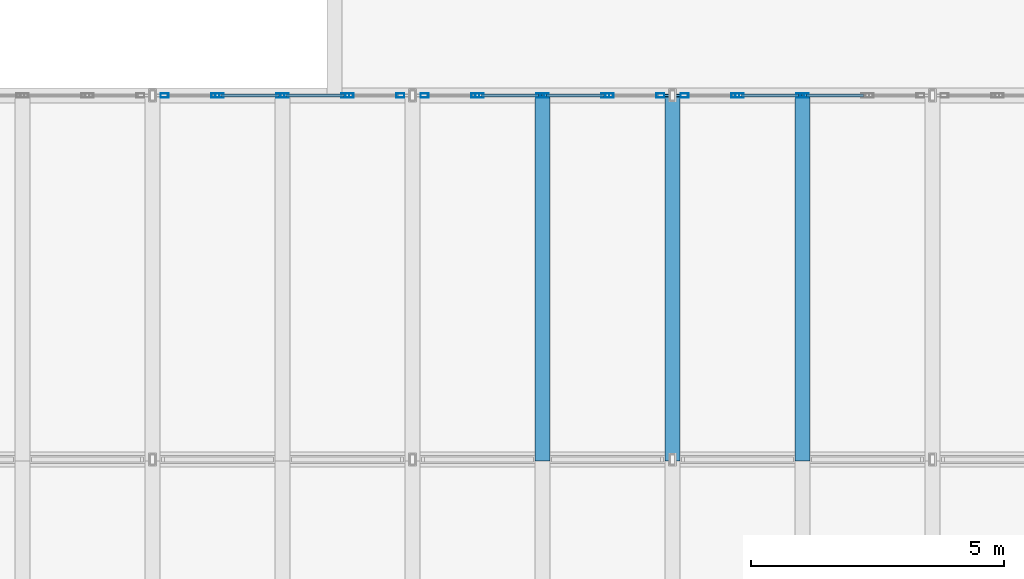
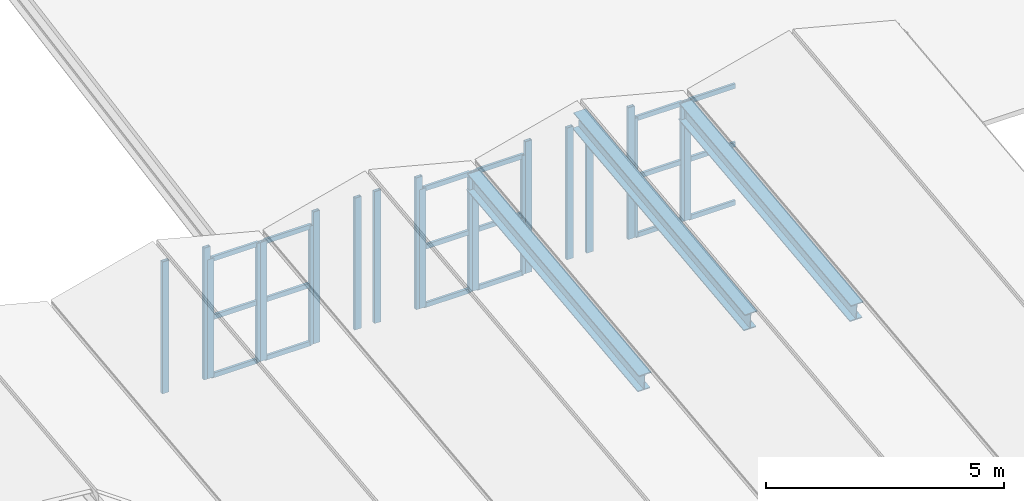
# One storey, part 9 of 39: 39 members, 3 beams, 11 elements without a shape of their own.
"""IFC4 building model written with IfcOpenShell, lengths in metres."""

import ifcopenshell
import ifcopenshell.guid

model = None  # the IFC model being written
_history = None  # IfcOwnerHistory: only IFC2X3 demands one
_inside = {}  # id of a spatial element -> (the spatial element, [elements in it])
_under = {}  # id of a project, library or spatial element -> (it, [spatial elements below it])
_declared = {}  # id of a project -> (the project, [libraries it declares])
_typed = {}  # id of a type object -> (the type object, [elements of that type])
_made_of = {}  # id of a material, layer set ... -> (it, [elements and type objects made of it])


def new_model(schema):
    """Start an empty IFC model of exactly this schema.

    Asked for "IFC4X3", IfcOpenShell would pick the latest addendum, in which some entities
    have other attributes; the version numbers below select the first issue.
    IFC2X3 requires an IfcOwnerHistory on every rooted entity: one is made here for all.
    """
    global model, _history
    if schema == "IFC4X3":
        model = ifcopenshell.file(schema_version=(4, 3, 0, 0))
    else:
        model = ifcopenshell.file(schema=schema)
    _inside.clear()
    _under.clear()
    _declared.clear()
    _typed.clear()
    _made_of.clear()
    _history = None
    if model.schema == "IFC2X3":
        org = make("IfcOrganization", Name="unknown")
        user = make(
            "IfcPersonAndOrganization",
            ThePerson=make("IfcPerson", FamilyName="unknown"),
            TheOrganization=org,
        )
        app = make(
            "IfcApplication",
            ApplicationDeveloper=org,
            Version="unknown",
            ApplicationFullName="unknown",
            ApplicationIdentifier="unknown",
        )
        _history = make(
            "IfcOwnerHistory",
            OwningUser=user,
            OwningApplication=app,
            ChangeAction="ADDED",
            CreationDate=0,
        )
    return model


def make(cls, **values):
    """One entity of the class cls with the attributes given. An attribute that is None is left unset."""
    return model.create_entity(
        cls, **{name: value for name, value in values.items() if value is not None}
    )


def rooted(cls, **values):
    """An entity with a GlobalId (a new one), such as an element, a storey or a relation."""
    return make(cls, GlobalId=ifcopenshell.guid.new(), OwnerHistory=_history, **values)


def si_unit(unit_type, name, prefix=None):
    """IfcSIUnit, for example si_unit("LENGTHUNIT", "METRE", prefix="MILLI")."""
    return make("IfcSIUnit", UnitType=unit_type, Prefix=prefix, Name=name)


def assignment(units):
    """IfcUnitAssignment: the units of a project."""
    return None if units is None else make("IfcUnitAssignment", Units=units)


def point(xyz):
    """IfcCartesianPoint."""
    return None if xyz is None else make("IfcCartesianPoint", Coordinates=xyz)


def direction(xyz):
    """IfcDirection."""
    return None if xyz is None else make("IfcDirection", DirectionRatios=xyz)


def frame(location, z_axis=None, x_axis=None):
    """IfcAxis2Placement3D, a coordinate frame: its origin and axes. An axis left out is left unset."""
    return make(
        "IfcAxis2Placement3D",
        Location=point(location),
        Axis=direction(z_axis),
        RefDirection=direction(x_axis),
    )


def frame_2d(location, x_axis=None):
    """IfcAxis2Placement2D, a coordinate frame in the plane: its origin and x axis."""
    return make(
        "IfcAxis2Placement2D", Location=point(location), RefDirection=direction(x_axis)
    )


def origin():
    """The frame at (0, 0, 0) with its axes left unset."""
    return frame((0.0, 0.0, 0.0))


def origin_2d():
    """The frame at (0, 0) in the plane with its x axis left unset."""
    return frame_2d((0.0, 0.0))


def place(relative_to, where):
    """IfcLocalPlacement: puts the frame where relative to a parent placement (None: the world)."""
    return make(
        "IfcLocalPlacement", PlacementRelTo=relative_to, RelativePlacement=where
    )


def context(
    kind, dimensions, precision=None, world=None, true_north=None, identifier=None
):
    """IfcGeometricRepresentationContext, for example the 3D "Model" context."""
    return make(
        "IfcGeometricRepresentationContext",
        ContextIdentifier=identifier,
        ContextType=kind,
        CoordinateSpaceDimension=dimensions,
        Precision=precision,
        WorldCoordinateSystem=world,
        TrueNorth=true_north,
    )


def subcontext(parent, identifier, kind, view, scale=None):
    """IfcGeometricRepresentationSubContext, for example "Body" below "Model"."""
    return make(
        "IfcGeometricRepresentationSubContext",
        ContextIdentifier=identifier,
        ContextType=kind,
        ParentContext=parent,
        TargetScale=scale,
        TargetView=view,
    )


def project(units=None, contexts=None):
    """IfcProject with its units and contexts."""
    return rooted(
        "IfcProject",
        Name="project",
        RepresentationContexts=contexts,
        UnitsInContext=assignment(units),
    )


def spatial(cls, under=None, at=None, **own):
    """A site, building, storey or space (cls), placed at a placement, below another one or the project."""
    s = rooted(cls, ObjectPlacement=at, **own)
    if under is not None:
        _under.setdefault(under.id(), (under, []))[1].append(s)
    return s


def profile(cls, at=None, kind="AREA", **sizes):
    """A parametric profile (cls). Its sizes go by their IFC names, for example OverallWidth=200.0."""
    return make(cls, ProfileType=kind, Position=at, **sizes)


def hollow_rectangle(**sizes):
    """IfcRectangleHollowProfileDef."""
    return profile("IfcRectangleHollowProfileDef", **sizes)


def i_section(**sizes):
    """IfcIShapeProfileDef."""
    return profile("IfcIShapeProfileDef", **sizes)


def extrude(swept, where, along, depth):
    """IfcExtrudedAreaSolid: the profile swept, set in the frame where, extruded along a direction by depth."""
    return make(
        "IfcExtrudedAreaSolid",
        SweptArea=swept,
        Position=where,
        ExtrudedDirection=direction(along),
        Depth=depth,
    )


def shape(context_of_items, identifier, shape_type, items):
    """IfcShapeRepresentation: the items that make up one representation, for example the "Body"."""
    return make(
        "IfcShapeRepresentation",
        ContextOfItems=context_of_items,
        RepresentationIdentifier=identifier,
        RepresentationType=shape_type,
        Items=items,
    )


def material(Name=None, Category=None):
    """IfcMaterial."""
    return make("IfcMaterial", Name=Name, Category=Category)


def layer(
    of_material, thickness, ventilated=None, Name=None, Category=None, Priority=None
):
    """IfcMaterialLayer: one layer of a wall or slab, of a material (None: an air gap)."""
    return make(
        "IfcMaterialLayer",
        Material=of_material,
        LayerThickness=thickness,
        IsVentilated=ventilated,
        Name=Name,
        Category=Category,
        Priority=Priority,
    )


def layer_set(layers, Name=None):
    """IfcMaterialLayerSet."""
    return make("IfcMaterialLayerSet", MaterialLayers=layers, LayerSetName=Name)


def material_profile(
    of_material, cross_section, Name=None, Category=None, Priority=None
):
    """IfcMaterialProfile: a cross section and its material."""
    return make(
        "IfcMaterialProfile",
        Name=Name,
        Material=of_material,
        Profile=cross_section,
        Priority=Priority,
        Category=Category,
    )


def profile_set(profiles, Name=None, composite=None):
    """IfcMaterialProfileSet."""
    return make(
        "IfcMaterialProfileSet",
        Name=Name,
        MaterialProfiles=profiles,
        CompositeProfile=composite,
    )


def made_of(thing, what):
    """Note that an element or type object is made of a material, layer set ...; save() writes the relation."""
    if what is not None:
        _made_of.setdefault(what.id(), (what, []))[1].append(thing)
    return thing


def type_object(cls, material=None, **own):
    """A type object (cls), such as IfcWallType, which elements share."""
    return made_of(rooted(cls, **own), material)


def element(
    cls,
    number,
    at=None,
    inside=None,
    cuts=None,
    type_object=None,
    material=None,
    context=None,
    identifier="Body",
    shape_type=None,
    held_by="IfcProductDefinitionShape",
    body=None,
    shapes=None,
    **own,
):
    """One element of the class cls, such as IfcWall. Its Tag is "e" and its number.

    at: its placement. inside: the storey or other place that contains it. cuts: it is an
    opening in that element (IfcRelVoidsElement). A single representation is given by context,
    identifier, shape_type and body (its items); several are given by shapes. held_by: the class
    of the entity that holds the representations. save() writes the other relations.
    """
    e = rooted(cls, Tag="e%d" % number, ObjectPlacement=at, **own)
    if body is not None:
        shapes = [shape(context, identifier, shape_type, body)]
    if shapes is not None:
        e.Representation = make(held_by, Representations=shapes)
    if inside is not None:
        _inside.setdefault(inside.id(), (inside, []))[1].append(e)
    if cuts is not None:
        rooted(
            "IfcRelVoidsElement", RelatingBuildingElement=cuts, RelatedOpeningElement=e
        )
    if type_object is not None:
        _typed.setdefault(type_object.id(), (type_object, []))[1].append(e)
    return made_of(e, material)


def aggregate(whole, parts):
    """IfcRelAggregates: a whole, such as a stair, and the parts it consists of."""
    return rooted("IfcRelAggregates", RelatingObject=whole, RelatedObjects=parts)


def save(model, path):
    """Write the relations noted so far, then the file.

    IfcRelAggregates (storeys below a building ...), IfcRelContainedInSpatialStructure (elements
    in a storey), IfcRelDefinesByType, IfcRelAssociatesMaterial and IfcRelDeclares: one each for
    every whole, place, type object, material and project.
    """
    for whole, parts in _under.values():
        aggregate(whole, parts)
    for where, things in _inside.values():
        rooted(
            "IfcRelContainedInSpatialStructure",
            RelatedElements=things,
            RelatingStructure=where,
        )
    for kind, things in _typed.values():
        rooted("IfcRelDefinesByType", RelatedObjects=things, RelatingType=kind)
    for what, things in _made_of.values():
        rooted("IfcRelAssociatesMaterial", RelatedObjects=things, RelatingMaterial=what)
    for by, libraries in _declared.values():
        rooted("IfcRelDeclares", RelatingContext=by, RelatedDefinitions=libraries)
    model.write(path)


model = new_model("IFC4")

# Units and contexts
model_context = context("Model", 3, precision=1e-05, world=origin(), true_north=direction((0.0, 1.0)))
body_context = subcontext(model_context, "Body", "Model", "MODEL_VIEW")
ifc_project = project(units=[si_unit("LENGTHUNIT", "METRE"), si_unit("AREAUNIT", "SQUARE_METRE"), si_unit("VOLUMEUNIT", "CUBIC_METRE"), si_unit("PLANEANGLEUNIT", "RADIAN"), si_unit("MASSUNIT", "GRAM", prefix="KILO"), si_unit("THERMODYNAMICTEMPERATUREUNIT", "KELVIN"), si_unit("POWERUNIT", "WATT")], contexts=[model_context])

# Site, building, storey
site_placement = place(None, origin())
site = spatial("IfcSite", under=ifc_project, at=site_placement, CompositionType="ELEMENT")
building_placement = place(site_placement, origin())
building = spatial("IfcBuilding", under=site, at=building_placement, Name="Kaldorven Railside Theatre", CompositionType="ELEMENT")
storey_placement = place(building_placement, frame((0.0, 0.0, 27.300048828125)))
storey = spatial("IfcBuildingStorey", under=building, at=storey_placement, Name="ROOF", CompositionType="ELEMENT", Elevation=27.300048828125)

# Beams
ifc_material_1 = material(Name="Steel S355", Category="steel")
ifc_material_profile_1 = material_profile(ifc_material_1, i_section(OverallWidth=0.300048828125, OverallDepth=0.449951171875, WebThickness=0.013916015625, FlangeThickness=0.02587890625, at=origin_2d()), Name="HEB 450")
ifc_profile_set_1 = profile_set([ifc_material_profile_1], Name="Steel S355")
beam_type = type_object("IfcBeamType", Name="BM-HEB450", PredefinedType="BEAM", material=ifc_profile_set_1)
for number, where, z_axis, x_axis, name in (
    (1, (112.914306640625, 105.60009765625, 2.025146484375), (0.0, 0.993579716392, 0.113134199846), (-1.0, 0.0, 0.0), "V2 Folded-Plate Valley Girder VB-142"),
    (2, (115.485595703125, 105.60009765625, 2.68994140625), (0.0, 0.993575928723, 0.11316745938), (-1.0, 0.0, 0.0), "V2 Folded-Plate Ridge Girder RB-146"),
    (3, (118.05712890625, 105.60009765625, 2.025146484375), (0.0, 0.993579716392, 0.113134199846), (-1.0, 0.0, 0.0), "V2 Folded-Plate Valley Girder VB-150"),
):
    element("IfcBeam", number, at=place(storey_placement, frame(where, z_axis=z_axis, x_axis=x_axis)), inside=storey, type_object=beam_type, Name=name, PredefinedType="BEAM", context=body_context, shape_type="SweptSolid", body=[
        extrude(i_section(OverallWidth=0.300048828125, OverallDepth=0.449951171875, WebThickness=0.013916015625, FlangeThickness=0.02587890625, at=origin_2d()), origin(), (0.0, 0.0, 1.0), 7.24658203125),
    ])

# Curtain wall, members
ifc_material_2 = material(Name="Low-E laminated solar-control glass", Category="glass")
ifc_layer_1 = layer(ifc_material_2, 0.159912109375, Name="Low-E laminated solar-control glass")
ifc_layer_set_1 = layer_set([ifc_layer_1], Name="Low-E laminated solar-control glass")
curtain_wall_type_1 = type_object("IfcCurtainWallType", Name="CWT-48", PredefinedType="USERDEFINED", material=ifc_layer_set_1)
curtain_wall_1_placement = place(storey_placement, origin())
curtain_wall_1 = element("IfcCurtainWall", 4, at=curtain_wall_1_placement, inside=storey, type_object=curtain_wall_type_1, Name="Fly-Tower North Crown Clerestory CWG-077", ObjectType="FLUTED GLAZING", PredefinedType="USERDEFINED")
ifc_material_3 = material(Name="Anodised bronze aluminium", Category="aluminium")
ifc_material_profile_2 = material_profile(ifc_material_3, hollow_rectangle(XDim=0.080078125, YDim=0.159912109375, WallThickness=0.00634765625, at=origin_2d()), Name="RHS 160x80x6.3")
ifc_profile_set_2 = profile_set([ifc_material_profile_2], Name="Anodised bronze aluminium")
member_type_1 = type_object("IfcMemberType", Name="CWM-160", PredefinedType="MULLION", material=ifc_profile_set_2)
member_1_placement = place(storey_placement, frame((105.43994140625, 112.800048828125, 0.02001953125), z_axis=(0.0, 0.0, 1.0), x_axis=(0.0, 1.0, 0.0)))
member_1 = element("IfcMember", 5, at=member_1_placement, type_object=member_type_1, Name="CWG-077 mullion 1", PredefinedType="MULLION", context=body_context, shape_type="SweptSolid", body=[
    extrude(hollow_rectangle(XDim=0.080078125, YDim=0.159912109375, WallThickness=0.00634765625, at=origin_2d()), origin(), (0.0, 0.0, 1.0), 3.3798828125),
])
member_2_placement = place(storey_placement, frame((106.44580078125, 112.800048828125, 0.02001953125), z_axis=(0.0, 0.0, 1.0), x_axis=(0.0, 1.0, 0.0)))
member_2 = element("IfcMember", 6, at=member_2_placement, type_object=member_type_1, Name="CWG-077 mullion 2", PredefinedType="MULLION", context=body_context, shape_type="SweptSolid", body=[
    extrude(hollow_rectangle(XDim=0.080078125, YDim=0.159912109375, WallThickness=0.00634765625, at=origin_2d()), origin(), (0.0, 0.0, 1.0), 3.3798828125),
])
aggregate(curtain_wall_1, [member_1, member_2])

ifc_layer_2 = layer(ifc_material_2, 0.159912109375, Name="Low-E laminated solar-control glass")
ifc_layer_set_2 = layer_set([ifc_layer_2], Name="Low-E laminated solar-control glass")
curtain_wall_type_2 = type_object("IfcCurtainWallType", Name="CWT-49", PredefinedType="USERDEFINED", material=ifc_layer_set_2)
curtain_wall_2_placement = place(storey_placement, origin())
curtain_wall_2 = element("IfcCurtainWall", 7, at=curtain_wall_2_placement, inside=storey, type_object=curtain_wall_type_2, Name="Fly-Tower North Crown Clerestory CWG-078", ObjectType="FLUTED GLAZING", PredefinedType="USERDEFINED")
member_3_placement = place(storey_placement, frame((106.525634765625, 112.800048828125, 0.02001953125), z_axis=(0.0, 0.0, 1.0), x_axis=(0.0, 1.0, 0.0)))
member_3 = element("IfcMember", 8, at=member_3_placement, type_object=member_type_1, Name="CWG-078 mullion 1", PredefinedType="MULLION", context=body_context, shape_type="SweptSolid", body=[
    extrude(hollow_rectangle(XDim=0.080078125, YDim=0.159912109375, WallThickness=0.00634765625, at=origin_2d()), origin(), (0.0, 0.0, 1.0), 3.050048828125),
])
member_4_placement = place(storey_placement, frame((107.7314453125, 112.800048828125, 0.02001953125), z_axis=(0.0, 0.0, 1.0), x_axis=(0.0, 1.0, 0.0)))
member_4 = element("IfcMember", 9, at=member_4_placement, type_object=member_type_1, Name="CWG-078 mullion 2", PredefinedType="MULLION", context=body_context, shape_type="SweptSolid", body=[
    extrude(hollow_rectangle(XDim=0.080078125, YDim=0.159912109375, WallThickness=0.00634765625, at=origin_2d()), origin(), (0.0, 0.0, 1.0), 3.050048828125),
])

curtain_wall_3_placement = place(storey_placement, origin())
curtain_wall_3 = element("IfcCurtainWall", 10, at=curtain_wall_3_placement, inside=storey, type_object=curtain_wall_type_2, Name="Fly-Tower North Crown Clerestory CWG-079", ObjectType="FLUTED GLAZING", PredefinedType="USERDEFINED")
member_5_placement = place(storey_placement, frame((107.811279296875, 112.800048828125, 0.02001953125), z_axis=(0.0, 0.0, 1.0), x_axis=(0.0, 1.0, 0.0)))
member_5 = element("IfcMember", 11, at=member_5_placement, type_object=member_type_1, Name="CWG-079 mullion 1", PredefinedType="MULLION", context=body_context, shape_type="SweptSolid", body=[
    extrude(hollow_rectangle(XDim=0.080078125, YDim=0.159912109375, WallThickness=0.00634765625, at=origin_2d()), origin(), (0.0, 0.0, 1.0), 3.050048828125),
])
member_6_placement = place(storey_placement, frame((109.01708984375, 112.800048828125, 0.02001953125), z_axis=(0.0, 0.0, 1.0), x_axis=(0.0, 1.0, 0.0)))
member_6 = element("IfcMember", 12, at=member_6_placement, type_object=member_type_1, Name="CWG-079 mullion 2", PredefinedType="MULLION", context=body_context, shape_type="SweptSolid", body=[
    extrude(hollow_rectangle(XDim=0.080078125, YDim=0.159912109375, WallThickness=0.00634765625, at=origin_2d()), origin(), (0.0, 0.0, 1.0), 3.050048828125),
])

curtain_wall_4_placement = place(storey_placement, origin())
curtain_wall_4 = element("IfcCurtainWall", 13, at=curtain_wall_4_placement, inside=storey, type_object=curtain_wall_type_1, Name="Fly-Tower North Crown Clerestory CWG-080", ObjectType="FLUTED GLAZING", PredefinedType="USERDEFINED")
member_7_placement = place(storey_placement, frame((109.09716796875, 112.800048828125, 0.02001953125), z_axis=(0.0, 0.0, 1.0), x_axis=(0.0, 1.0, 0.0)))
member_7 = element("IfcMember", 14, at=member_7_placement, type_object=member_type_1, Name="CWG-080 mullion 1", PredefinedType="MULLION", context=body_context, shape_type="SweptSolid", body=[
    extrude(hollow_rectangle(XDim=0.080078125, YDim=0.159912109375, WallThickness=0.00634765625, at=origin_2d()), origin(), (0.0, 0.0, 1.0), 3.3798828125),
])
member_8_placement = place(storey_placement, frame((110.102783203125, 112.800048828125, 0.02001953125), z_axis=(0.0, 0.0, 1.0), x_axis=(0.0, 1.0, 0.0)))
member_8 = element("IfcMember", 15, at=member_8_placement, type_object=member_type_1, Name="CWG-080 mullion 2", PredefinedType="MULLION", context=body_context, shape_type="SweptSolid", body=[
    extrude(hollow_rectangle(XDim=0.080078125, YDim=0.159912109375, WallThickness=0.00634765625, at=origin_2d()), origin(), (0.0, 0.0, 1.0), 3.3798828125),
])
aggregate(curtain_wall_4, [member_7, member_8])

curtain_wall_5_placement = place(storey_placement, origin())
curtain_wall_5 = element("IfcCurtainWall", 16, at=curtain_wall_5_placement, inside=storey, type_object=curtain_wall_type_1, Name="Fly-Tower North Crown Clerestory CWG-081", ObjectType="FLUTED GLAZING", PredefinedType="USERDEFINED")
member_9_placement = place(storey_placement, frame((110.582763671875, 112.800048828125, 0.02001953125), z_axis=(0.0, 0.0, 1.0), x_axis=(0.0, 1.0, 0.0)))
member_9 = element("IfcMember", 17, at=member_9_placement, type_object=member_type_1, Name="CWG-081 mullion 1", PredefinedType="MULLION", context=body_context, shape_type="SweptSolid", body=[
    extrude(hollow_rectangle(XDim=0.080078125, YDim=0.159912109375, WallThickness=0.00634765625, at=origin_2d()), origin(), (0.0, 0.0, 1.0), 3.3798828125),
])
member_10_placement = place(storey_placement, frame((111.588623046875, 112.800048828125, 0.02001953125), z_axis=(0.0, 0.0, 1.0), x_axis=(0.0, 1.0, 0.0)))
member_10 = element("IfcMember", 18, at=member_10_placement, type_object=member_type_1, Name="CWG-081 mullion 2", PredefinedType="MULLION", context=body_context, shape_type="SweptSolid", body=[
    extrude(hollow_rectangle(XDim=0.080078125, YDim=0.159912109375, WallThickness=0.00634765625, at=origin_2d()), origin(), (0.0, 0.0, 1.0), 3.3798828125),
])
aggregate(curtain_wall_5, [member_9, member_10])

curtain_wall_6_placement = place(storey_placement, origin())
curtain_wall_6 = element("IfcCurtainWall", 19, at=curtain_wall_6_placement, inside=storey, type_object=curtain_wall_type_2, Name="Fly-Tower North Crown Clerestory CWG-082", ObjectType="FLUTED GLAZING", PredefinedType="USERDEFINED")
member_11_placement = place(storey_placement, frame((111.668701171875, 112.800048828125, 0.02001953125), z_axis=(0.0, 0.0, 1.0), x_axis=(0.0, 1.0, 0.0)))
member_11 = element("IfcMember", 20, at=member_11_placement, type_object=member_type_1, Name="CWG-082 mullion 1", PredefinedType="MULLION", context=body_context, shape_type="SweptSolid", body=[
    extrude(hollow_rectangle(XDim=0.080078125, YDim=0.159912109375, WallThickness=0.00634765625, at=origin_2d()), origin(), (0.0, 0.0, 1.0), 3.050048828125),
])
member_12_placement = place(storey_placement, frame((112.874267578125, 112.800048828125, 0.02001953125), z_axis=(0.0, 0.0, 1.0), x_axis=(0.0, 1.0, 0.0)))
member_12 = element("IfcMember", 21, at=member_12_placement, type_object=member_type_1, Name="CWG-082 mullion 2", PredefinedType="MULLION", context=body_context, shape_type="SweptSolid", body=[
    extrude(hollow_rectangle(XDim=0.080078125, YDim=0.159912109375, WallThickness=0.00634765625, at=origin_2d()), origin(), (0.0, 0.0, 1.0), 3.050048828125),
])

curtain_wall_7_placement = place(storey_placement, origin())
curtain_wall_7 = element("IfcCurtainWall", 22, at=curtain_wall_7_placement, inside=storey, type_object=curtain_wall_type_2, Name="Fly-Tower North Crown Clerestory CWG-083", ObjectType="FLUTED GLAZING", PredefinedType="USERDEFINED")
member_13_placement = place(storey_placement, frame((112.954345703125, 112.800048828125, 0.02001953125), z_axis=(0.0, 0.0, 1.0), x_axis=(0.0, 1.0, 0.0)))
member_13 = element("IfcMember", 23, at=member_13_placement, type_object=member_type_1, Name="CWG-083 mullion 1", PredefinedType="MULLION", context=body_context, shape_type="SweptSolid", body=[
    extrude(hollow_rectangle(XDim=0.080078125, YDim=0.159912109375, WallThickness=0.00634765625, at=origin_2d()), origin(), (0.0, 0.0, 1.0), 3.050048828125),
])
member_14_placement = place(storey_placement, frame((114.159912109375, 112.800048828125, 0.02001953125), z_axis=(0.0, 0.0, 1.0), x_axis=(0.0, 1.0, 0.0)))
member_14 = element("IfcMember", 24, at=member_14_placement, type_object=member_type_1, Name="CWG-083 mullion 2", PredefinedType="MULLION", context=body_context, shape_type="SweptSolid", body=[
    extrude(hollow_rectangle(XDim=0.080078125, YDim=0.159912109375, WallThickness=0.00634765625, at=origin_2d()), origin(), (0.0, 0.0, 1.0), 3.050048828125),
])

curtain_wall_8_placement = place(storey_placement, origin())
curtain_wall_8 = element("IfcCurtainWall", 25, at=curtain_wall_8_placement, inside=storey, type_object=curtain_wall_type_1, Name="Fly-Tower North Crown Clerestory CWG-084", ObjectType="FLUTED GLAZING", PredefinedType="USERDEFINED")
member_15_placement = place(storey_placement, frame((114.239990234375, 112.800048828125, 0.02001953125), z_axis=(0.0, 0.0, 1.0), x_axis=(0.0, 1.0, 0.0)))
member_15 = element("IfcMember", 26, at=member_15_placement, type_object=member_type_1, Name="CWG-084 mullion 1", PredefinedType="MULLION", context=body_context, shape_type="SweptSolid", body=[
    extrude(hollow_rectangle(XDim=0.080078125, YDim=0.159912109375, WallThickness=0.00634765625, at=origin_2d()), origin(), (0.0, 0.0, 1.0), 3.3798828125),
])
member_16_placement = place(storey_placement, frame((115.24560546875, 112.800048828125, 0.02001953125), z_axis=(0.0, 0.0, 1.0), x_axis=(0.0, 1.0, 0.0)))
member_16 = element("IfcMember", 27, at=member_16_placement, type_object=member_type_1, Name="CWG-084 mullion 2", PredefinedType="MULLION", context=body_context, shape_type="SweptSolid", body=[
    extrude(hollow_rectangle(XDim=0.080078125, YDim=0.159912109375, WallThickness=0.00634765625, at=origin_2d()), origin(), (0.0, 0.0, 1.0), 3.3798828125),
])
aggregate(curtain_wall_8, [member_15, member_16])

curtain_wall_9_placement = place(storey_placement, origin())
curtain_wall_9 = element("IfcCurtainWall", 28, at=curtain_wall_9_placement, inside=storey, type_object=curtain_wall_type_1, Name="Fly-Tower North Crown Clerestory CWG-085", ObjectType="FLUTED GLAZING", PredefinedType="USERDEFINED")
member_17_placement = place(storey_placement, frame((115.7255859375, 112.800048828125, 0.02001953125), z_axis=(0.0, 0.0, 1.0), x_axis=(0.0, 1.0, 0.0)))
member_17 = element("IfcMember", 29, at=member_17_placement, type_object=member_type_1, Name="CWG-085 mullion 1", PredefinedType="MULLION", context=body_context, shape_type="SweptSolid", body=[
    extrude(hollow_rectangle(XDim=0.080078125, YDim=0.159912109375, WallThickness=0.00634765625, at=origin_2d()), origin(), (0.0, 0.0, 1.0), 3.3798828125),
])
member_18_placement = place(storey_placement, frame((116.7314453125, 112.800048828125, 0.02001953125), z_axis=(0.0, 0.0, 1.0), x_axis=(0.0, 1.0, 0.0)))
member_18 = element("IfcMember", 30, at=member_18_placement, type_object=member_type_1, Name="CWG-085 mullion 2", PredefinedType="MULLION", context=body_context, shape_type="SweptSolid", body=[
    extrude(hollow_rectangle(XDim=0.080078125, YDim=0.159912109375, WallThickness=0.00634765625, at=origin_2d()), origin(), (0.0, 0.0, 1.0), 3.3798828125),
])
aggregate(curtain_wall_9, [member_17, member_18])

curtain_wall_10_placement = place(storey_placement, origin())
curtain_wall_10 = element("IfcCurtainWall", 31, at=curtain_wall_10_placement, inside=storey, type_object=curtain_wall_type_2, Name="Fly-Tower North Crown Clerestory CWG-086", ObjectType="FLUTED GLAZING", PredefinedType="USERDEFINED")
member_19_placement = place(storey_placement, frame((116.811279296875, 112.800048828125, 0.02001953125), z_axis=(0.0, 0.0, 1.0), x_axis=(0.0, 1.0, 0.0)))
member_19 = element("IfcMember", 32, at=member_19_placement, type_object=member_type_1, Name="CWG-086 mullion 1", PredefinedType="MULLION", context=body_context, shape_type="SweptSolid", body=[
    extrude(hollow_rectangle(XDim=0.080078125, YDim=0.159912109375, WallThickness=0.00634765625, at=origin_2d()), origin(), (0.0, 0.0, 1.0), 3.050048828125),
])
member_20_placement = place(storey_placement, frame((118.01708984375, 112.800048828125, 0.02001953125), z_axis=(0.0, 0.0, 1.0), x_axis=(0.0, 1.0, 0.0)))
member_20 = element("IfcMember", 33, at=member_20_placement, type_object=member_type_1, Name="CWG-086 mullion 2", PredefinedType="MULLION", context=body_context, shape_type="SweptSolid", body=[
    extrude(hollow_rectangle(XDim=0.080078125, YDim=0.159912109375, WallThickness=0.00634765625, at=origin_2d()), origin(), (0.0, 0.0, 1.0), 3.050048828125),
])

# Curtain wall, member
curtain_wall_11_placement = place(storey_placement, origin())
curtain_wall_11 = element("IfcCurtainWall", 34, at=curtain_wall_11_placement, inside=storey, type_object=curtain_wall_type_2, Name="Fly-Tower North Crown Clerestory CWG-087", ObjectType="FLUTED GLAZING", PredefinedType="USERDEFINED")
member_21_placement = place(storey_placement, frame((118.09716796875, 112.800048828125, 0.02001953125), z_axis=(0.0, 0.0, 1.0), x_axis=(0.0, 1.0, 0.0)))
member_21 = element("IfcMember", 35, at=member_21_placement, type_object=member_type_1, Name="CWG-087 mullion 1", PredefinedType="MULLION", context=body_context, shape_type="SweptSolid", body=[
    extrude(hollow_rectangle(XDim=0.080078125, YDim=0.159912109375, WallThickness=0.00634765625, at=origin_2d()), origin(), (0.0, 0.0, 1.0), 3.050048828125),
])

# Member
ifc_material_profile_3 = material_profile(ifc_material_3, hollow_rectangle(XDim=0.06005859375, YDim=0.1201171875, WallThickness=0.0048828125, at=origin_2d()), Name="RHS 120x60x5")
ifc_profile_set_3 = profile_set([ifc_material_profile_3], Name="Anodised bronze aluminium")
member_type_2 = type_object("IfcMemberType", Name="CWT-120", PredefinedType="USERDEFINED", material=ifc_profile_set_3)
member_22_placement = place(storey_placement, frame((106.565673828125, 112.800048828125, 0.050048828125), z_axis=(1.0, 0.0, 0.0), x_axis=(0.0, 1.0, 0.0)))
member_22 = element("IfcMember", 36, at=member_22_placement, type_object=member_type_2, Name="CWG-078 transom 1.1", ObjectType="TRANSOM", PredefinedType="USERDEFINED", context=body_context, shape_type="SweptSolid", body=[
    extrude(hollow_rectangle(XDim=0.06005859375, YDim=0.1201171875, WallThickness=0.0048828125, at=origin_2d()), origin(), (0.0, 0.0, 1.0), 1.125732421875),
])

member_23_placement = place(storey_placement, frame((106.565673828125, 112.800048828125, 1.544921875), z_axis=(1.0, 0.0, 0.0), x_axis=(0.0, 1.0, 0.0)))
member_23 = element("IfcMember", 37, at=member_23_placement, type_object=member_type_2, Name="CWG-078 transom 1.2", ObjectType="TRANSOM", PredefinedType="USERDEFINED", context=body_context, shape_type="SweptSolid", body=[
    extrude(hollow_rectangle(XDim=0.06005859375, YDim=0.1201171875, WallThickness=0.0048828125, at=origin_2d()), origin(), (0.0, 0.0, 1.0), 1.125732421875),
])

member_24_placement = place(storey_placement, frame((106.565673828125, 112.800048828125, 3.0400390625), z_axis=(1.0, 0.0, 0.0), x_axis=(0.0, 1.0, 0.0)))
member_24 = element("IfcMember", 38, at=member_24_placement, type_object=member_type_2, Name="CWG-078 transom 1.3", ObjectType="TRANSOM", PredefinedType="USERDEFINED", context=body_context, shape_type="SweptSolid", body=[
    extrude(hollow_rectangle(XDim=0.06005859375, YDim=0.1201171875, WallThickness=0.0048828125, at=origin_2d()), origin(), (0.0, 0.0, 1.0), 1.125732421875),
])

aggregate(curtain_wall_2, [member_3, member_4, member_22, member_23, member_24])

member_25_placement = place(storey_placement, frame((107.851318359375, 112.800048828125, 0.050048828125), z_axis=(1.0, 0.0, 0.0), x_axis=(0.0, 1.0, 0.0)))
member_25 = element("IfcMember", 39, at=member_25_placement, type_object=member_type_2, Name="CWG-079 transom 1.1", ObjectType="TRANSOM", PredefinedType="USERDEFINED", context=body_context, shape_type="SweptSolid", body=[
    extrude(hollow_rectangle(XDim=0.06005859375, YDim=0.1201171875, WallThickness=0.0048828125, at=origin_2d()), origin(), (0.0, 0.0, 1.0), 1.125732421875),
])

member_26_placement = place(storey_placement, frame((107.851318359375, 112.800048828125, 1.544921875), z_axis=(1.0, 0.0, 0.0), x_axis=(0.0, 1.0, 0.0)))
member_26 = element("IfcMember", 40, at=member_26_placement, type_object=member_type_2, Name="CWG-079 transom 1.2", ObjectType="TRANSOM", PredefinedType="USERDEFINED", context=body_context, shape_type="SweptSolid", body=[
    extrude(hollow_rectangle(XDim=0.06005859375, YDim=0.1201171875, WallThickness=0.0048828125, at=origin_2d()), origin(), (0.0, 0.0, 1.0), 1.125732421875),
])

member_27_placement = place(storey_placement, frame((107.851318359375, 112.800048828125, 3.0400390625), z_axis=(1.0, 0.0, 0.0), x_axis=(0.0, 1.0, 0.0)))
member_27 = element("IfcMember", 41, at=member_27_placement, type_object=member_type_2, Name="CWG-079 transom 1.3", ObjectType="TRANSOM", PredefinedType="USERDEFINED", context=body_context, shape_type="SweptSolid", body=[
    extrude(hollow_rectangle(XDim=0.06005859375, YDim=0.1201171875, WallThickness=0.0048828125, at=origin_2d()), origin(), (0.0, 0.0, 1.0), 1.125732421875),
])

aggregate(curtain_wall_3, [member_5, member_6, member_25, member_26, member_27])

member_28_placement = place(storey_placement, frame((111.70849609375, 112.800048828125, 0.050048828125), z_axis=(1.0, 0.0, 0.0), x_axis=(0.0, 1.0, 0.0)))
member_28 = element("IfcMember", 42, at=member_28_placement, type_object=member_type_2, Name="CWG-082 transom 1.1", ObjectType="TRANSOM", PredefinedType="USERDEFINED", context=body_context, shape_type="SweptSolid", body=[
    extrude(hollow_rectangle(XDim=0.06005859375, YDim=0.1201171875, WallThickness=0.0048828125, at=origin_2d()), origin(), (0.0, 0.0, 1.0), 1.125732421875),
])

member_29_placement = place(storey_placement, frame((111.70849609375, 112.800048828125, 1.544921875), z_axis=(1.0, 0.0, 0.0), x_axis=(0.0, 1.0, 0.0)))
member_29 = element("IfcMember", 43, at=member_29_placement, type_object=member_type_2, Name="CWG-082 transom 1.2", ObjectType="TRANSOM", PredefinedType="USERDEFINED", context=body_context, shape_type="SweptSolid", body=[
    extrude(hollow_rectangle(XDim=0.06005859375, YDim=0.1201171875, WallThickness=0.0048828125, at=origin_2d()), origin(), (0.0, 0.0, 1.0), 1.125732421875),
])

member_30_placement = place(storey_placement, frame((111.70849609375, 112.800048828125, 3.0400390625), z_axis=(1.0, 0.0, 0.0), x_axis=(0.0, 1.0, 0.0)))
member_30 = element("IfcMember", 44, at=member_30_placement, type_object=member_type_2, Name="CWG-082 transom 1.3", ObjectType="TRANSOM", PredefinedType="USERDEFINED", context=body_context, shape_type="SweptSolid", body=[
    extrude(hollow_rectangle(XDim=0.06005859375, YDim=0.1201171875, WallThickness=0.0048828125, at=origin_2d()), origin(), (0.0, 0.0, 1.0), 1.125732421875),
])

aggregate(curtain_wall_6, [member_11, member_12, member_28, member_29, member_30])

member_31_placement = place(storey_placement, frame((112.994384765625, 112.800048828125, 0.050048828125), z_axis=(1.0, 0.0, 0.0), x_axis=(0.0, 1.0, 0.0)))
member_31 = element("IfcMember", 45, at=member_31_placement, type_object=member_type_2, Name="CWG-083 transom 1.1", ObjectType="TRANSOM", PredefinedType="USERDEFINED", context=body_context, shape_type="SweptSolid", body=[
    extrude(hollow_rectangle(XDim=0.06005859375, YDim=0.1201171875, WallThickness=0.0048828125, at=origin_2d()), origin(), (0.0, 0.0, 1.0), 1.125732421875),
])

member_32_placement = place(storey_placement, frame((112.994384765625, 112.800048828125, 1.544921875), z_axis=(1.0, 0.0, 0.0), x_axis=(0.0, 1.0, 0.0)))
member_32 = element("IfcMember", 46, at=member_32_placement, type_object=member_type_2, Name="CWG-083 transom 1.2", ObjectType="TRANSOM", PredefinedType="USERDEFINED", context=body_context, shape_type="SweptSolid", body=[
    extrude(hollow_rectangle(XDim=0.06005859375, YDim=0.1201171875, WallThickness=0.0048828125, at=origin_2d()), origin(), (0.0, 0.0, 1.0), 1.125732421875),
])

member_33_placement = place(storey_placement, frame((112.994384765625, 112.800048828125, 3.0400390625), z_axis=(1.0, 0.0, 0.0), x_axis=(0.0, 1.0, 0.0)))
member_33 = element("IfcMember", 47, at=member_33_placement, type_object=member_type_2, Name="CWG-083 transom 1.3", ObjectType="TRANSOM", PredefinedType="USERDEFINED", context=body_context, shape_type="SweptSolid", body=[
    extrude(hollow_rectangle(XDim=0.06005859375, YDim=0.1201171875, WallThickness=0.0048828125, at=origin_2d()), origin(), (0.0, 0.0, 1.0), 1.125732421875),
])

aggregate(curtain_wall_7, [member_13, member_14, member_31, member_32, member_33])

member_34_placement = place(storey_placement, frame((116.851318359375, 112.800048828125, 0.050048828125), z_axis=(1.0, 0.0, 0.0), x_axis=(0.0, 1.0, 0.0)))
member_34 = element("IfcMember", 48, at=member_34_placement, type_object=member_type_2, Name="CWG-086 transom 1.1", ObjectType="TRANSOM", PredefinedType="USERDEFINED", context=body_context, shape_type="SweptSolid", body=[
    extrude(hollow_rectangle(XDim=0.06005859375, YDim=0.1201171875, WallThickness=0.0048828125, at=origin_2d()), origin(), (0.0, 0.0, 1.0), 1.125732421875),
])

member_35_placement = place(storey_placement, frame((116.851318359375, 112.800048828125, 1.544921875), z_axis=(1.0, 0.0, 0.0), x_axis=(0.0, 1.0, 0.0)))
member_35 = element("IfcMember", 49, at=member_35_placement, type_object=member_type_2, Name="CWG-086 transom 1.2", ObjectType="TRANSOM", PredefinedType="USERDEFINED", context=body_context, shape_type="SweptSolid", body=[
    extrude(hollow_rectangle(XDim=0.06005859375, YDim=0.1201171875, WallThickness=0.0048828125, at=origin_2d()), origin(), (0.0, 0.0, 1.0), 1.125732421875),
])

member_36_placement = place(storey_placement, frame((116.851318359375, 112.800048828125, 3.0400390625), z_axis=(1.0, 0.0, 0.0), x_axis=(0.0, 1.0, 0.0)))
member_36 = element("IfcMember", 50, at=member_36_placement, type_object=member_type_2, Name="CWG-086 transom 1.3", ObjectType="TRANSOM", PredefinedType="USERDEFINED", context=body_context, shape_type="SweptSolid", body=[
    extrude(hollow_rectangle(XDim=0.06005859375, YDim=0.1201171875, WallThickness=0.0048828125, at=origin_2d()), origin(), (0.0, 0.0, 1.0), 1.125732421875),
])

aggregate(curtain_wall_10, [member_19, member_20, member_34, member_35, member_36])

member_37_placement = place(storey_placement, frame((118.13720703125, 112.800048828125, 0.050048828125), z_axis=(1.0, 0.0, 0.0), x_axis=(0.0, 1.0, 0.0)))
member_37 = element("IfcMember", 51, at=member_37_placement, type_object=member_type_2, Name="CWG-087 transom 1.1", ObjectType="TRANSOM", PredefinedType="USERDEFINED", context=body_context, shape_type="SweptSolid", body=[
    extrude(hollow_rectangle(XDim=0.06005859375, YDim=0.1201171875, WallThickness=0.0048828125, at=origin_2d()), origin(), (0.0, 0.0, 1.0), 1.125732421875),
])

member_38_placement = place(storey_placement, frame((118.13720703125, 112.800048828125, 1.544921875), z_axis=(1.0, 0.0, 0.0), x_axis=(0.0, 1.0, 0.0)))
member_38 = element("IfcMember", 52, at=member_38_placement, type_object=member_type_2, Name="CWG-087 transom 1.2", ObjectType="TRANSOM", PredefinedType="USERDEFINED", context=body_context, shape_type="SweptSolid", body=[
    extrude(hollow_rectangle(XDim=0.06005859375, YDim=0.1201171875, WallThickness=0.0048828125, at=origin_2d()), origin(), (0.0, 0.0, 1.0), 1.125732421875),
])

member_39_placement = place(storey_placement, frame((118.13720703125, 112.800048828125, 3.0400390625), z_axis=(1.0, 0.0, 0.0), x_axis=(0.0, 1.0, 0.0)))
member_39 = element("IfcMember", 53, at=member_39_placement, type_object=member_type_2, Name="CWG-087 transom 1.3", ObjectType="TRANSOM", PredefinedType="USERDEFINED", context=body_context, shape_type="SweptSolid", body=[
    extrude(hollow_rectangle(XDim=0.06005859375, YDim=0.1201171875, WallThickness=0.0048828125, at=origin_2d()), origin(), (0.0, 0.0, 1.0), 1.125732421875),
])

aggregate(curtain_wall_11, [member_21, member_37, member_38, member_39])

save(model, "model.ifc")
